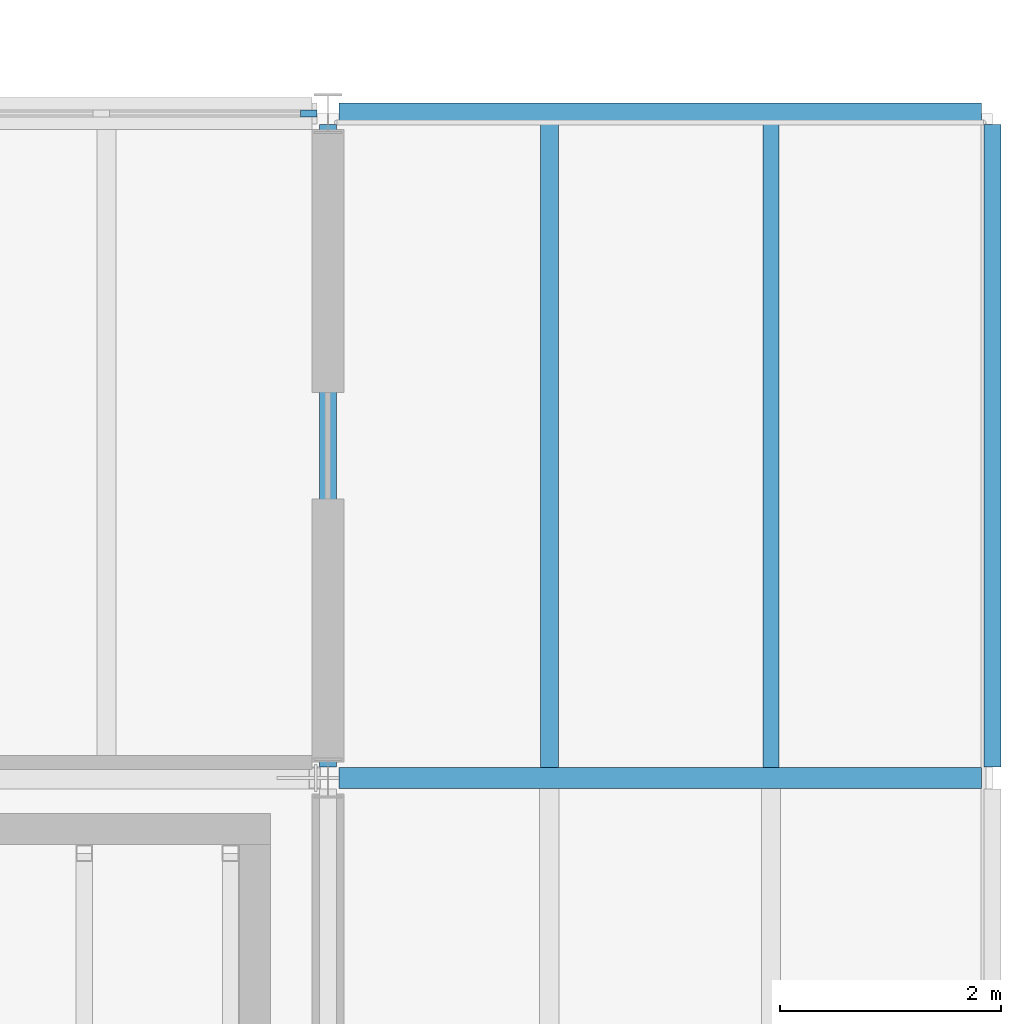
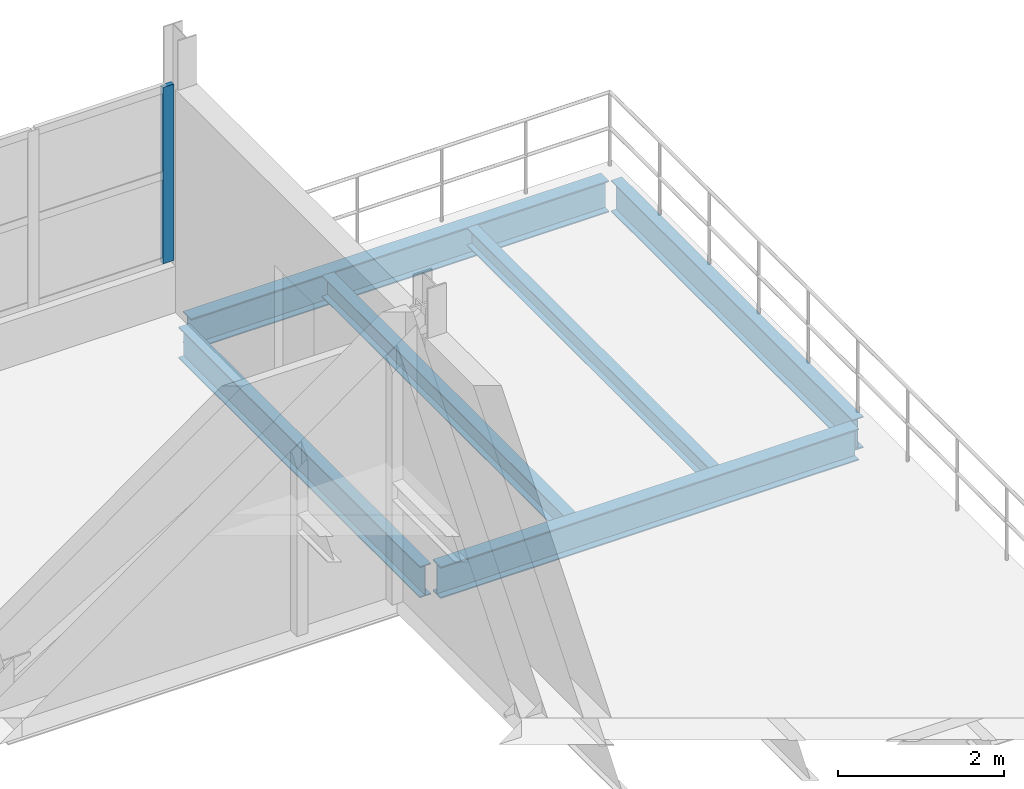
# One storey, part 11 of 23: 6 beams, 1 member, 1 element without a shape of its own.
"""IFC4 building model written with IfcOpenShell, lengths in metres."""

from ifc_helpers import new_model, si_unit, direction, frame, origin, origin_2d, place, context, subcontext, project, spatial, rectangle, i_section, extrude, material, material_profile, profile_set, type_object, element, aggregate, save


model = new_model("IFC4")

# Units and contexts
model_context = context("Model", 3, precision=1e-05, world=origin(), true_north=direction((0.0, 1.0)))
body_context = subcontext(model_context, "Body", "Model", "MODEL_VIEW")
ifc_project = project(units=[si_unit("LENGTHUNIT", "METRE"), si_unit("AREAUNIT", "SQUARE_METRE"), si_unit("VOLUMEUNIT", "CUBIC_METRE"), si_unit("PLANEANGLEUNIT", "RADIAN"), si_unit("MASSUNIT", "GRAM", prefix="KILO")], contexts=[model_context])

# Site, building, storey
site_placement = place(None, origin())
site = spatial("IfcSite", under=ifc_project, at=site_placement, CompositionType="ELEMENT")
building_placement = place(site_placement, origin())
building = spatial("IfcBuilding", under=site, at=building_placement, Name="Siltcreek Boulevard Central Fire Station", CompositionType="ELEMENT")
storey_placement = place(building_placement, frame((0.0, 0.0, 14.0)))
storey = spatial("IfcBuildingStorey", under=building, at=storey_placement, Name="L04", CompositionType="ELEMENT", Elevation=14.0)

# Beams
ifc_material_1 = material(Name="Structural steel ASTM A992 Gr50", Category="steel")
ifc_material_profile_1 = material_profile(ifc_material_1, i_section(OverallWidth=0.154052734375, OverallDepth=0.458984375, WebThickness=0.009033203125, FlangeThickness=0.015380859375, at=origin_2d()), Name="W460X68")
ifc_profile_set_1 = profile_set([ifc_material_profile_1], Name="Structural steel ASTM A992 Gr50")
beam_type_1 = type_object("IfcBeamType", Name="BM_W460X68", PredefinedType="BEAM", material=ifc_profile_set_1)
for number, where, z_axis, x_axis, name in (
    (1, (154.199951171875, 106.300048828125, -0.489501953125), (0.0, 1.0, 0.0), (-1.0, 0.0, 0.0), "L04 primary steel girder GY-0589"),
    (2, (160.199951171875, 106.300048828125, -0.439453125), (0.0, 1.0, 0.0), (-1.0, 0.0, 0.0), "L04 primary steel girder GY-0593"),
):
    element("IfcBeam", number, at=place(storey_placement, frame(where, z_axis=z_axis, x_axis=x_axis)), inside=storey, type_object=beam_type_1, Name=name, PredefinedType="BEAM", context=body_context, shape_type="SweptSolid", body=[
        extrude(i_section(OverallWidth=0.154052734375, OverallDepth=0.458984375, WebThickness=0.009033203125, FlangeThickness=0.015380859375, at=origin_2d()), origin(), (0.0, 0.0, 1.0), 5.800048828125),
    ])
ifc_material_profile_2 = material_profile(ifc_material_1, i_section(OverallWidth=0.19189453125, OverallDepth=0.462890625, WebThickness=0.010498046875, FlangeThickness=0.017578125, at=origin_2d()), Name="W460X89")
ifc_profile_set_2 = profile_set([ifc_material_profile_2], Name="Structural steel ASTM A992 Gr50")
beam_type_2 = type_object("IfcBeamType", Name="BM_W460X89", PredefinedType="BEAM", material=ifc_profile_set_2)
for number, where, z_axis, x_axis, name in (
    (3, (154.300048828125, 106.199951171875, -0.44140625), (1.0, 0.0, 0.0), (0.0, 1.0, 0.0), "L04 primary steel girder GX-0561"),
    (4, (154.300048828125, 112.199951171875, -0.44140625), (1.0, 0.0, 0.0), (0.0, 1.0, 0.0), "L04 primary steel girder GX-0567"),
):
    element("IfcBeam", number, at=place(storey_placement, frame(where, z_axis=z_axis, x_axis=x_axis)), inside=storey, type_object=beam_type_2, Name=name, PredefinedType="BEAM", context=body_context, shape_type="SweptSolid", body=[
        extrude(i_section(OverallWidth=0.19189453125, OverallDepth=0.462890625, WebThickness=0.010498046875, FlangeThickness=0.017578125, at=origin_2d()), origin(), (0.0, 0.0, 1.0), 5.800048828125),
    ])

# Curtain wall, member
ifc_material_2 = material(Name="Anodized aluminum and low-E insulated glazing", Category="aluminium")
curtain_wall_type = type_object("IfcCurtainWallType", Name="CW_SYS_22", PredefinedType="USERDEFINED", material=ifc_material_2)
curtain_wall_placement = place(storey_placement, origin())
curtain_wall = element("IfcCurtainWall", 5, at=curtain_wall_placement, inside=storey, type_object=curtain_wall_type, Name="L04 V5 unitised curtain wall CW-171", ObjectType="CURTAIN WALL", PredefinedType="USERDEFINED")
ifc_material_3 = material(Name="Anodized 6063-T6 aluminum framing", Category="aluminium")
ifc_material_profile_3 = material_profile(ifc_material_3, rectangle(XDim=0.06005859375, YDim=0.14990234375, at=origin_2d()), Name="MULL60X150")
ifc_profile_set_3 = profile_set([ifc_material_profile_3], Name="Anodized 6063-T6 aluminum framing")
member_type = type_object("IfcMemberType", Name="CWM_60X150", PredefinedType="MULLION", material=ifc_profile_set_3)
member_placement = place(storey_placement, frame((154.02490234375, 112.199951171875, 0.679931640625), z_axis=(0.0, 0.0, 1.0), x_axis=(0.0, -1.0, 0.0)))
member = element("IfcMember", 6, at=member_placement, type_object=member_type, Name="CW-171 mullion 1", PredefinedType="MULLION", context=body_context, shape_type="SweptSolid", body=[
    extrude(rectangle(XDim=0.06005859375, YDim=0.14990234375, at=origin_2d()), origin(), (0.0, 0.0, 1.0), 2.589111328125),
])
aggregate(curtain_wall, [member])

# Beams
ifc_material_profile_4 = material_profile(ifc_material_1, i_section(OverallWidth=0.14697265625, OverallDepth=0.261962890625, WebThickness=0.006591796875, FlangeThickness=0.01123046875, at=origin_2d()), Name="W250X39")
ifc_profile_set_4 = profile_set([ifc_material_profile_4], Name="Structural steel ASTM A992 Gr50")
beam_type_3 = type_object("IfcBeamType", Name="JST_W250X39", PredefinedType="JOIST", material=ifc_profile_set_4)
beam_1_placement = place(storey_placement, frame((158.199951171875, 106.2939453125, -0.341064453125), z_axis=(0.0, 1.0, 0.0), x_axis=(-1.0, 0.0, 0.0)))
element("IfcBeam", 7, at=beam_1_placement, inside=storey, type_object=beam_type_3, Name="L04 secondary steel floor joist 0504", PredefinedType="JOIST", context=body_context, shape_type="SweptSolid", body=[
    extrude(i_section(OverallWidth=0.14697265625, OverallDepth=0.261962890625, WebThickness=0.006591796875, FlangeThickness=0.01123046875, at=origin_2d()), origin(), (0.0, 0.0, 1.0), 5.81201171875),
])
ifc_material_profile_5 = material_profile(ifc_material_1, i_section(OverallWidth=0.166015625, OverallDepth=0.31298828125, WebThickness=0.006591796875, FlangeThickness=0.01123046875, at=origin_2d()), Name="W310X45")
ifc_profile_set_5 = profile_set([ifc_material_profile_5], Name="Structural steel ASTM A992 Gr50")
beam_type_4 = type_object("IfcBeamType", Name="JST_W310X45", PredefinedType="JOIST", material=ifc_profile_set_5)
beam_2_placement = place(storey_placement, frame((156.199951171875, 106.2939453125, -0.366455078125), z_axis=(0.0, 1.0, 0.0), x_axis=(-1.0, 0.0, 0.0)))
element("IfcBeam", 8, at=beam_2_placement, inside=storey, type_object=beam_type_4, Name="L04 secondary steel floor joist 0503", PredefinedType="JOIST", context=body_context, shape_type="SweptSolid", body=[
    extrude(i_section(OverallWidth=0.166015625, OverallDepth=0.31298828125, WebThickness=0.006591796875, FlangeThickness=0.01123046875, at=origin_2d()), origin(), (0.0, 0.0, 1.0), 5.81201171875),
])

save(model, "model.ifc")
